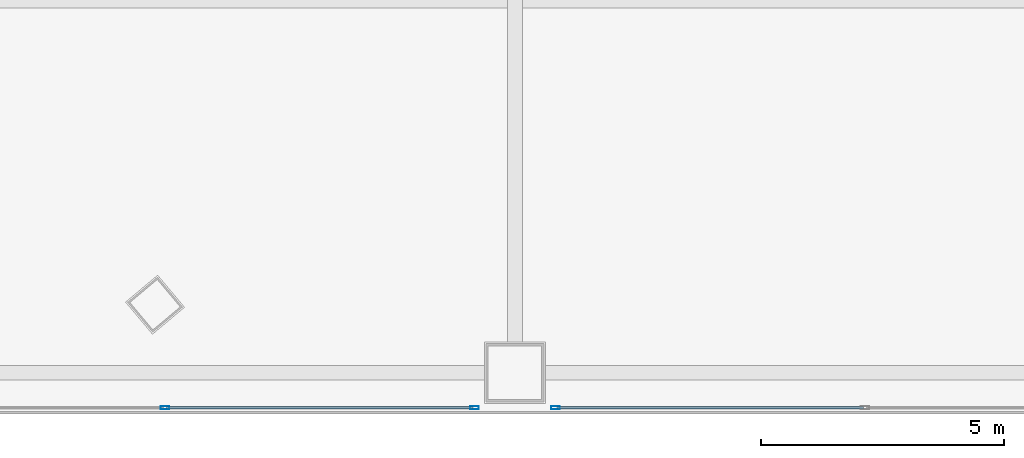
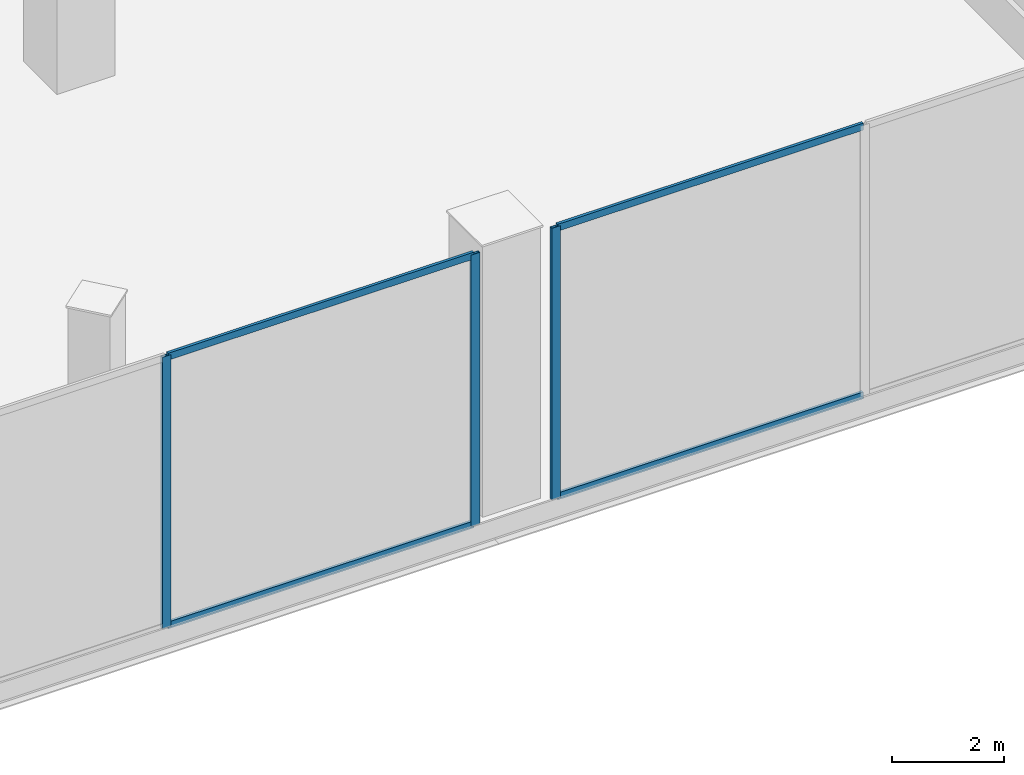
# One storey, part 13 of 41: 7 members, 2 elements without a shape of their own.
"""IFC4 building model written with IfcOpenShell, lengths in metres."""

from ifc_helpers import new_model, si_unit, direction, frame, origin, origin_2d, place, context, subcontext, project, spatial, hollow_rectangle, extrude, source, transform, mapped, material, layer, layer_set, material_profile, profile_set, type_object, element, aggregate, save


model = new_model("IFC4")

# Units and contexts
model_context = context("Model", 3, precision=1e-05, world=origin(), true_north=direction((0.0, 1.0)))
body_context = subcontext(model_context, "Body", "Model", "MODEL_VIEW")
ifc_project = project(units=[si_unit("LENGTHUNIT", "METRE"), si_unit("AREAUNIT", "SQUARE_METRE"), si_unit("VOLUMEUNIT", "CUBIC_METRE"), si_unit("PLANEANGLEUNIT", "RADIAN"), si_unit("MASSUNIT", "GRAM", prefix="KILO"), si_unit("THERMODYNAMICTEMPERATUREUNIT", "KELVIN"), si_unit("POWERUNIT", "WATT")], contexts=[model_context])

# Site, building, storey
site_placement = place(None, origin())
site = spatial("IfcSite", under=ifc_project, at=site_placement, CompositionType="ELEMENT")
building_placement = place(site_placement, origin())
building = spatial("IfcBuilding", under=site, at=building_placement, Name="Yunzhuo Pagoda Commons", CompositionType="ELEMENT")
storey_placement = place(building_placement, frame((0.0, 0.0, 19.199951171875)))
storey = spatial("IfcBuildingStorey", under=building, at=storey_placement, Name="L05", CompositionType="ELEMENT", Elevation=19.199951171875)

# Curtain wall, members
ifc_material = material(Name="Anodized aluminium 6063-T6", Category="aluminium")
ifc_layer = layer(ifc_material, 0.179931640625)
ifc_layer_set = layer_set([ifc_layer], Name="Anodized aluminium 6063-T6")
curtain_wall_type = type_object("IfcCurtainWallType", Name="CW-POD Waterfront Podium Curtain Wall", PredefinedType="NOTDEFINED", material=ifc_layer_set)
curtain_wall_1_placement = place(storey_placement, origin())
curtain_wall_1 = element("IfcCurtainWall", 1, at=curtain_wall_1_placement, inside=storey, type_object=curtain_wall_type, Name="L05 curtain wall CW-L05-S4", PredefinedType="NOTDEFINED")
ifc_material_profile_1 = material_profile(ifc_material, hollow_rectangle(XDim=0.06005859375, YDim=0.14990234375, WallThickness=0.00390625, at=origin_2d()), Name="Anodized aluminium 6063-T6")
ifc_profile_set_1 = profile_set([ifc_material_profile_1], Name="Anodized aluminium 6063-T6")
member_type_1 = type_object("IfcMemberType", Name="CW-POD-T Transom RHS 150x60x4", PredefinedType="USERDEFINED", material=ifc_profile_set_1)
shared_shape_1 = source(origin(), body_context, "Body", "SweptSolid", [
    extrude(hollow_rectangle(XDim=0.06005859375, YDim=0.14990234375, WallThickness=0.00390625, at=origin_2d()), origin(), (0.0, 0.0, 1.0), 6.302490234375),
])
member_1_placement = place(storey_placement, frame((69.632568359375, 6.080078125, 0.0302734375), z_axis=(1.0, 0.0, 0.0), x_axis=(0.0, 1.0, 0.0)))
member_1 = element("IfcMember", 2, at=member_1_placement, type_object=member_type_1, Name="CW transom 2.1", ObjectType="TRANSOM", PredefinedType="USERDEFINED", context=body_context, shape_type="MappedRepresentation", body=[
    mapped(shared_shape_1, transform((0.0, 0.0, 0.0), scale=1.0)),
])
member_2_placement = place(storey_placement, frame((69.632568359375, 6.080078125, 5.89013671875), z_axis=(1.0, 0.0, 0.0), x_axis=(0.0, 1.0, 0.0)))
member_2 = element("IfcMember", 3, at=member_2_placement, type_object=member_type_1, Name="CW transom 2.2", ObjectType="TRANSOM", PredefinedType="USERDEFINED", context=body_context, shape_type="MappedRepresentation", body=[
    mapped(shared_shape_1, transform((0.0, 0.0, 0.0), scale=1.0)),
])

curtain_wall_2_placement = place(storey_placement, origin())
curtain_wall_2 = element("IfcCurtainWall", 4, at=curtain_wall_2_placement, inside=storey, type_object=curtain_wall_type, Name="L05 curtain wall CW-L05-S5", PredefinedType="NOTDEFINED")
member_3_placement = place(storey_placement, frame((77.6650390625, 6.080078125, 0.0302734375), z_axis=(1.0, 0.0, 0.0), x_axis=(0.0, 1.0, 0.0)))
member_3 = element("IfcMember", 5, at=member_3_placement, type_object=member_type_1, Name="CW transom 1.1", ObjectType="TRANSOM", PredefinedType="USERDEFINED", context=body_context, shape_type="MappedRepresentation", body=[
    mapped(shared_shape_1, transform((0.0, 0.0, 0.0), scale=1.0)),
])
member_4_placement = place(storey_placement, frame((77.6650390625, 6.080078125, 5.89013671875), z_axis=(1.0, 0.0, 0.0), x_axis=(0.0, 1.0, 0.0)))
member_4 = element("IfcMember", 6, at=member_4_placement, type_object=member_type_1, Name="CW transom 1.2", ObjectType="TRANSOM", PredefinedType="USERDEFINED", context=body_context, shape_type="MappedRepresentation", body=[
    mapped(shared_shape_1, transform((0.0, 0.0, 0.0), scale=1.0)),
])

# Member
ifc_material_profile_2 = material_profile(ifc_material, hollow_rectangle(XDim=0.06494140625, YDim=0.179931640625, WallThickness=0.00390625, at=origin_2d()), Name="Anodized aluminium 6063-T6")
ifc_profile_set_2 = profile_set([ifc_material_profile_2], Name="Anodized aluminium 6063-T6")
member_type_2 = type_object("IfcMemberType", Name="CW-POD-M Mullion RHS 180x65x4", PredefinedType="MULLION", material=ifc_profile_set_2)
shared_shape_2 = source(origin(), body_context, "Body", "SweptSolid", [
    extrude(hollow_rectangle(XDim=0.06494140625, YDim=0.179931640625, WallThickness=0.00390625, at=origin_2d()), origin(), (0.0, 0.0, 1.0), 5.920166015625),
])
member_5_placement = place(storey_placement, frame((69.60009765625, 6.080078125, 0.0), z_axis=(0.0, 0.0, 1.0), x_axis=(0.0, 1.0, 0.0)))
member_5 = element("IfcMember", 7, at=member_5_placement, type_object=member_type_2, Name="CW mullion 2", PredefinedType="MULLION", context=body_context, shape_type="MappedRepresentation", body=[
    mapped(shared_shape_2, transform((0.0, 0.0, 0.0), scale=1.0)),
])

member_6_placement = place(storey_placement, frame((75.967529296875, 6.080078125, 0.0), z_axis=(0.0, 0.0, 1.0), x_axis=(0.0, 1.0, 0.0)))
member_6 = element("IfcMember", 8, at=member_6_placement, type_object=member_type_2, Name="CW mullion 3", PredefinedType="MULLION", context=body_context, shape_type="MappedRepresentation", body=[
    mapped(shared_shape_2, transform((0.0, 0.0, 0.0), scale=1.0)),
])

aggregate(curtain_wall_1, [member_5, member_6, member_1, member_2])

member_7_placement = place(storey_placement, frame((77.632568359375, 6.080078125, 0.0), z_axis=(0.0, 0.0, 1.0), x_axis=(0.0, 1.0, 0.0)))
member_7 = element("IfcMember", 9, at=member_7_placement, type_object=member_type_2, Name="CW mullion 1", PredefinedType="MULLION", context=body_context, shape_type="MappedRepresentation", body=[
    mapped(shared_shape_2, transform((0.0, 0.0, 0.0), scale=1.0)),
])

aggregate(curtain_wall_2, [member_7, member_3, member_4])

save(model, "model.ifc")
